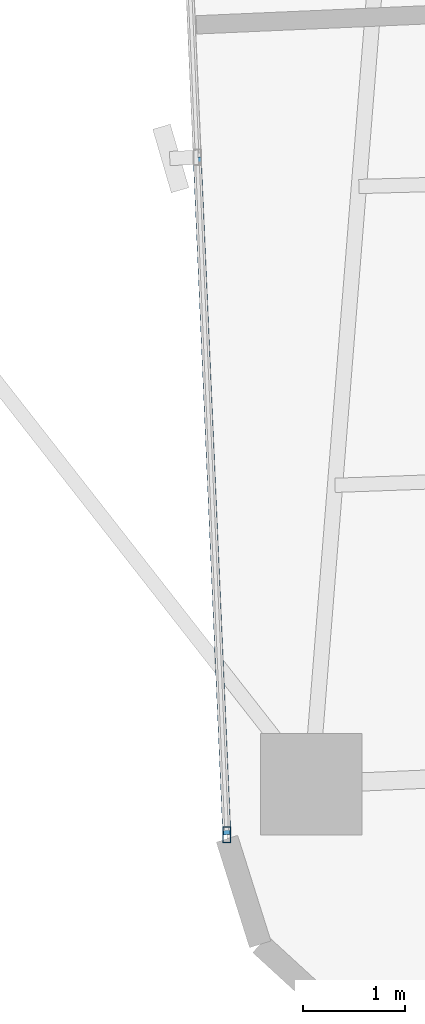
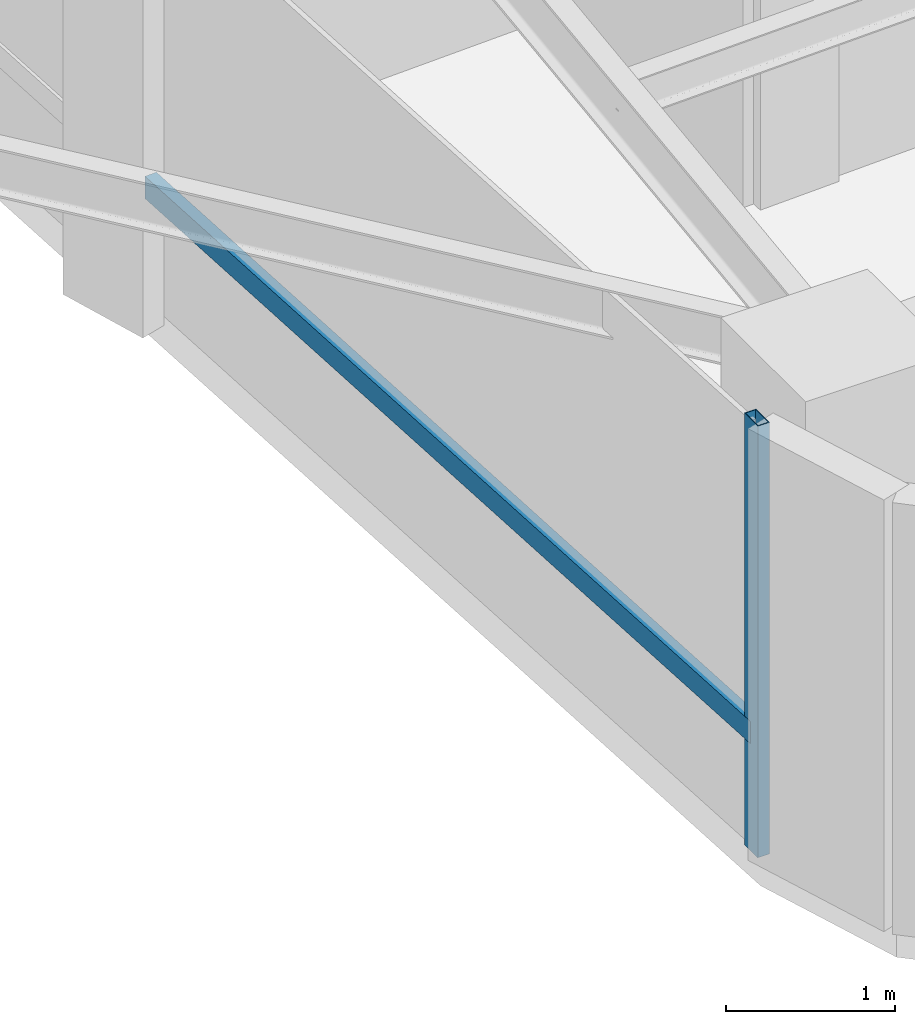
# One storey, part 2 of 26: 2 members, 1 element without a shape of its own.
"""IFC4 building model written with IfcOpenShell, lengths in metres."""

from ifc_helpers import new_model, si_unit, direction, frame, origin, origin_2d, place, context, subcontext, project, spatial, hollow_rectangle, extrude, source, transform, mapped, material, material_profile, profile_set, type_object, element, aggregate, save


model = new_model("IFC4")

# Units and contexts
model_context = context("Model", 3, precision=1e-05, world=origin(), true_north=direction((0.0, 1.0)))
body_context = subcontext(model_context, "Body", "Model", "MODEL_VIEW")
ifc_project = project(units=[si_unit("LENGTHUNIT", "METRE"), si_unit("AREAUNIT", "SQUARE_METRE"), si_unit("VOLUMEUNIT", "CUBIC_METRE"), si_unit("PLANEANGLEUNIT", "RADIAN"), si_unit("MASSUNIT", "GRAM", prefix="KILO")], contexts=[model_context])

# Site, building, storey
site_placement = place(None, origin())
site = spatial("IfcSite", under=ifc_project, at=site_placement, CompositionType="ELEMENT")
building_placement = place(site_placement, origin())
building = spatial("IfcBuilding", under=site, at=building_placement, Name="Sahyath Konkavel Grand Hotel", CompositionType="ELEMENT")
storey_placement = place(building_placement, frame((0.0, 0.0, 100.25)))
storey = spatial("IfcBuildingStorey", under=building, at=storey_placement, Name="L27", CompositionType="ELEMENT", Elevation=100.25)

# Curtain wall, members
ifc_material_1 = material(Name="Anodised Bronze Aluminium & Low-E Glazing", Category="aluminium")
curtain_wall_type = type_object("IfcCurtainWallType", Name="CW-ZONE2", PredefinedType="NOTDEFINED", material=ifc_material_1)
curtain_wall_placement = place(storey_placement, origin())
curtain_wall = element("IfcCurtainWall", 1, at=curtain_wall_placement, inside=storey, type_object=curtain_wall_type, Name="L27 Unitised Curtain Wall F24", PredefinedType="NOTDEFINED")
ifc_material_2 = material(Name="Anodised Bronze Aluminium", Category="aluminium")
ifc_material_profile_1 = material_profile(ifc_material_2, hollow_rectangle(XDim=0.080078125, YDim=0.159912109375, WallThickness=0.006103515625, at=origin_2d()), Name="RHS 160x80x6")
ifc_profile_set_1 = profile_set([ifc_material_profile_1], Name="Anodised Bronze Aluminium")
member_type_1 = type_object("IfcMemberType", Name="CW-MUL-160", PredefinedType="MULLION", material=ifc_profile_set_1)
shared_shape_1 = source(origin(), body_context, "Body", "SweptSolid", [
    extrude(hollow_rectangle(XDim=0.080078125, YDim=0.159912109375, WallThickness=0.006103515625, at=origin_2d()), origin(), (0.0, 0.0, 1.0), 3.110107421875),
])
member_1_placement = place(storey_placement, frame((-5.605224609375, -22.92626953125, 0.0), z_axis=(0.0, 0.0, 1.0), x_axis=(1.0, 0.0, 0.0)))
member_1 = element("IfcMember", 2, at=member_1_placement, type_object=member_type_1, Name="L27 Curtain Wall Mullion F24-2", PredefinedType="MULLION", context=body_context, shape_type="MappedRepresentation", body=[
    mapped(shared_shape_1, transform((0.0, 0.0, 0.0), scale=1.0)),
])
ifc_material_profile_2 = material_profile(ifc_material_2, hollow_rectangle(XDim=0.080078125, YDim=0.159912109375, WallThickness=0.006103515625, at=origin_2d()), Name="RHS 160x80x6")
ifc_profile_set_2 = profile_set([ifc_material_profile_2], Name="Anodised Bronze Aluminium")
member_type_2 = type_object("IfcMemberType", Name="CW-TRN-160", PredefinedType="USERDEFINED", material=ifc_profile_set_2)
shared_shape_2 = source(origin(), body_context, "Body", "SweptSolid", [
    extrude(hollow_rectangle(XDim=0.080078125, YDim=0.159912109375, WallThickness=0.006103515625, at=origin_2d()), origin(), (0.0, 0.0, 1.0), 6.659912109375),
])
member_2_placement = place(storey_placement, frame((-5.895751953125, -16.272705078125, 0.85009765625), z_axis=(0.043623350741, -0.999048048529, 0.0), x_axis=(0.999048048529, 0.043623350741, 0.0)))
member_2 = element("IfcMember", 3, at=member_2_placement, type_object=member_type_2, Name="L27 Curtain Wall Transom F24-1-spandrel", ObjectType="TRANSOM", PredefinedType="USERDEFINED", context=body_context, shape_type="MappedRepresentation", body=[
    mapped(shared_shape_2, transform((0.0, 0.0, 0.0), scale=1.0)),
])
aggregate(curtain_wall, [member_1, member_2])

save(model, "model.ifc")
